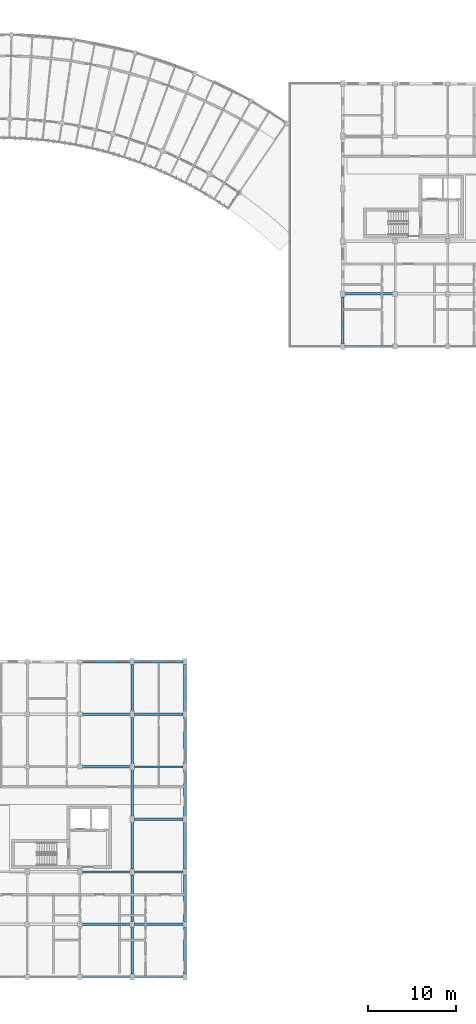
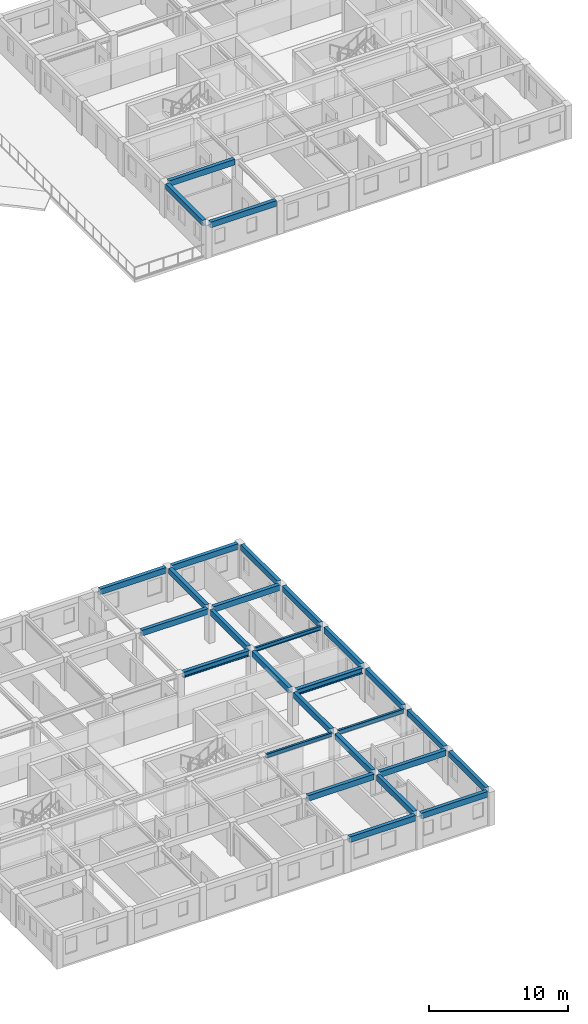
# One storey, part 36 of 101: 28 beams.
"""IFC4 building model written with IfcOpenShell, lengths in metres."""

from ifc_helpers import new_model, si_unit, direction, frame, origin, origin_2d, place, context, subcontext, project, spatial, rectangle, i_section, extrude, material, material_profile, profile_set, type_object, element, save


model = new_model("IFC4")

# Units and contexts
model_context = context("Model", 3, precision=1e-05, world=origin(), true_north=direction((0.0, 1.0)))
body_context = subcontext(model_context, "Body", "Model", "MODEL_VIEW")
ifc_project = project(units=[si_unit("LENGTHUNIT", "METRE"), si_unit("AREAUNIT", "SQUARE_METRE"), si_unit("VOLUMEUNIT", "CUBIC_METRE"), si_unit("PLANEANGLEUNIT", "RADIAN"), si_unit("MASSUNIT", "GRAM", prefix="KILO"), si_unit("POWERUNIT", "WATT"), si_unit("THERMODYNAMICTEMPERATUREUNIT", "KELVIN")], contexts=[model_context])

# Site, building, storey
site_placement = place(None, origin())
site = spatial("IfcSite", under=ifc_project, at=site_placement, CompositionType="ELEMENT")
building_placement = place(site_placement, origin())
building = spatial("IfcBuilding", under=site, at=building_placement, Name="Ruvembo Vaulted Housing Court", CompositionType="ELEMENT")
storey_placement = place(building_placement, frame((0.0, 0.0, 17.300048828125)))
storey = spatial("IfcBuildingStorey", under=building, at=storey_placement, Name="L05", CompositionType="ELEMENT", Elevation=17.300048828125)

# Beams
ifc_material_1 = material(Name="Steel S355J2", Category="steel")
ifc_material_profile_1 = material_profile(ifc_material_1, i_section(OverallWidth=0.300048828125, OverallDepth=0.5, WebThickness=0.014404296875, FlangeThickness=0.028076171875, FilletRadius=0.027099609375, at=origin_2d()), Name="HEB 320")
ifc_profile_set_1 = profile_set([ifc_material_profile_1], Name="Steel S355J2")
beam_type_1 = type_object("IfcBeamType", Name="BM-ST-HEB320", PredefinedType="BEAM", material=ifc_profile_set_1)
beam_1_placement = place(storey_placement, frame((132.235107421875, 18.0, 2.676025390625), z_axis=(1.0, 0.0, 0.0), x_axis=(0.0, 1.0, 0.0)))
element("IfcBeam", 1, at=beam_1_placement, inside=storey, type_object=beam_type_1, Name="L05 Grid Beam X #2321", PredefinedType="BEAM", context=body_context, shape_type="SweptSolid", body=[
    extrude(i_section(OverallWidth=0.300048828125, OverallDepth=0.5, WebThickness=0.014404296875, FlangeThickness=0.028076171875, FilletRadius=0.027099609375, at=origin_2d()), origin(), (0.0, 0.0, 1.0), 5.52978515625),
])
beam_2_placement = place(storey_placement, frame((126.260009765625, 24.0, 2.676025390625), z_axis=(1.0, 0.0, 0.0), x_axis=(0.0, 1.0, 0.0)))
element("IfcBeam", 2, at=beam_2_placement, inside=storey, type_object=beam_type_1, Name="L05 Grid Beam X #2327", PredefinedType="BEAM", context=body_context, shape_type="SweptSolid", body=[
    extrude(i_section(OverallWidth=0.300048828125, OverallDepth=0.5, WebThickness=0.014404296875, FlangeThickness=0.028076171875, FilletRadius=0.027099609375, at=origin_2d()), origin(), (0.0, 0.0, 1.0), 5.5048828125),
])
ifc_material_profile_2 = material_profile(ifc_material_1, i_section(OverallWidth=0.169921875, OverallDepth=0.360107421875, WebThickness=0.008056640625, FlangeThickness=0.0126953125, FilletRadius=0.01806640625, at=origin_2d()), Name="IPE 360")
ifc_profile_set_2 = profile_set([ifc_material_profile_2], Name="Steel S355J2")
beam_type_2 = type_object("IfcBeamType", Name="BM-ST-IPE360", PredefinedType="BEAM", material=ifc_profile_set_2)
beam_3_placement = place(storey_placement, frame((126.260009765625, 12.0, 2.745849609375), z_axis=(1.0, 0.0, 0.0), x_axis=(0.0, 1.0, 0.0)))
element("IfcBeam", 3, at=beam_3_placement, inside=storey, type_object=beam_type_2, Name="L05 Grid Beam X #2313", PredefinedType="BEAM", context=body_context, shape_type="SweptSolid", body=[
    extrude(i_section(OverallWidth=0.169921875, OverallDepth=0.360107421875, WebThickness=0.008056640625, FlangeThickness=0.0126953125, FilletRadius=0.01806640625, at=origin_2d()), origin(), (0.0, 0.0, 1.0), 5.5048828125),
])
beam_4_placement = place(storey_placement, frame((132.235107421875, 24.0, 2.745849609375), z_axis=(1.0, 0.0, 0.0), x_axis=(0.0, 1.0, 0.0)))
element("IfcBeam", 4, at=beam_4_placement, inside=storey, type_object=beam_type_2, Name="L05 Grid Beam X #2328", PredefinedType="BEAM", context=body_context, shape_type="SweptSolid", body=[
    extrude(i_section(OverallWidth=0.169921875, OverallDepth=0.360107421875, WebThickness=0.008056640625, FlangeThickness=0.0126953125, FilletRadius=0.01806640625, at=origin_2d()), origin(), (0.0, 0.0, 1.0), 5.52978515625),
])
ifc_material_profile_3 = material_profile(ifc_material_1, i_section(OverallWidth=0.179931640625, OverallDepth=0.39990234375, WebThickness=0.008544921875, FlangeThickness=0.013427734375, FilletRadius=0.02099609375, at=origin_2d()), Name="IPE 400")
ifc_profile_set_3 = profile_set([ifc_material_profile_3], Name="Steel S355J2")
beam_type_3 = type_object("IfcBeamType", Name="BM-ST-IPE400", PredefinedType="BEAM", material=ifc_profile_set_3)
beam_5_placement = place(storey_placement, frame((132.235107421875, 12.0, 2.725830078125), z_axis=(1.0, 0.0, 0.0), x_axis=(0.0, 1.0, 0.0)))
element("IfcBeam", 5, at=beam_5_placement, inside=storey, type_object=beam_type_3, Name="L05 Grid Beam X #2314", PredefinedType="BEAM", context=body_context, shape_type="SweptSolid", body=[
    extrude(i_section(OverallWidth=0.179931640625, OverallDepth=0.39990234375, WebThickness=0.008544921875, FlangeThickness=0.013427734375, FilletRadius=0.02099609375, at=origin_2d()), origin(), (0.0, 0.0, 1.0), 5.52978515625),
])
ifc_material_2 = material(Name="Concrete C35/45", Category="concrete")
ifc_material_profile_4 = material_profile(ifc_material_2, rectangle(XDim=0.300048828125, YDim=0.5, at=origin_2d()), Name="RC 300x500")
ifc_profile_set_4 = profile_set([ifc_material_profile_4], Name="Concrete C35/45")
beam_type_4 = type_object("IfcBeamType", Name="SP-RC-300x500", PredefinedType="SPANDREL", material=ifc_profile_set_4)
beam_6_placement = place(storey_placement, frame((126.260009765625, 0.0, 2.71484375), z_axis=(1.0, 0.0, 0.0), x_axis=(0.0, 1.0, 0.0)))
element("IfcBeam", 6, at=beam_6_placement, inside=storey, type_object=beam_type_4, Name="L05 Grid Beam X #2289", PredefinedType="SPANDREL", context=body_context, shape_type="SweptSolid", body=[
    extrude(rectangle(XDim=0.300048828125, YDim=0.5, at=origin_2d()), origin(), (0.0, 0.0, 1.0), 5.5048828125),
])
beam_7_placement = place(storey_placement, frame((132.235107421875, 0.0, 2.71484375), z_axis=(1.0, 0.0, 0.0), x_axis=(0.0, 1.0, 0.0)))
element("IfcBeam", 7, at=beam_7_placement, inside=storey, type_object=beam_type_4, Name="L05 Grid Beam X #2290", PredefinedType="SPANDREL", context=body_context, shape_type="SweptSolid", body=[
    extrude(rectangle(XDim=0.300048828125, YDim=0.5, at=origin_2d()), origin(), (0.0, 0.0, 1.0), 5.52978515625),
])
beam_8_placement = place(storey_placement, frame((126.260009765625, 6.0, 2.71484375), z_axis=(1.0, 0.0, 0.0), x_axis=(0.0, 1.0, 0.0)))
element("IfcBeam", 8, at=beam_8_placement, inside=storey, type_object=beam_type_4, Name="L05 Grid Beam X #2301", PredefinedType="SPANDREL", context=body_context, shape_type="SweptSolid", body=[
    extrude(rectangle(XDim=0.300048828125, YDim=0.5, at=origin_2d()), origin(), (0.0, 0.0, 1.0), 5.5048828125),
])
beam_9_placement = place(storey_placement, frame((132.235107421875, 6.0, 2.71484375), z_axis=(1.0, 0.0, 0.0), x_axis=(0.0, 1.0, 0.0)))
element("IfcBeam", 9, at=beam_9_placement, inside=storey, type_object=beam_type_4, Name="L05 Grid Beam X #2302", PredefinedType="SPANDREL", context=body_context, shape_type="SweptSolid", body=[
    extrude(rectangle(XDim=0.300048828125, YDim=0.5, at=origin_2d()), origin(), (0.0, 0.0, 1.0), 5.52978515625),
])
beam_10_placement = place(storey_placement, frame((126.260009765625, 30.0, 2.71484375), z_axis=(1.0, 0.0, 0.0), x_axis=(0.0, 1.0, 0.0)))
element("IfcBeam", 10, at=beam_10_placement, inside=storey, type_object=beam_type_4, Name="L05 Grid Beam X #2339", PredefinedType="SPANDREL", context=body_context, shape_type="SweptSolid", body=[
    extrude(rectangle(XDim=0.300048828125, YDim=0.5, at=origin_2d()), origin(), (0.0, 0.0, 1.0), 5.5048828125),
])
beam_11_placement = place(storey_placement, frame((132.235107421875, 30.0, 2.71484375), z_axis=(1.0, 0.0, 0.0), x_axis=(0.0, 1.0, 0.0)))
element("IfcBeam", 11, at=beam_11_placement, inside=storey, type_object=beam_type_4, Name="L05 Grid Beam X #2340", PredefinedType="SPANDREL", context=body_context, shape_type="SweptSolid", body=[
    extrude(rectangle(XDim=0.300048828125, YDim=0.5, at=origin_2d()), origin(), (0.0, 0.0, 1.0), 5.52978515625),
])
beam_12_placement = place(storey_placement, frame((126.260009765625, 36.0, 2.71484375), z_axis=(1.0, 0.0, 0.0), x_axis=(0.0, 1.0, 0.0)))
element("IfcBeam", 12, at=beam_12_placement, inside=storey, type_object=beam_type_4, Name="L05 Grid Beam X #2351", PredefinedType="SPANDREL", context=body_context, shape_type="SweptSolid", body=[
    extrude(rectangle(XDim=0.300048828125, YDim=0.5, at=origin_2d()), origin(), (0.0, 0.0, 1.0), 5.5048828125),
])
beam_13_placement = place(storey_placement, frame((132.235107421875, 36.0, 2.71484375), z_axis=(1.0, 0.0, 0.0), x_axis=(0.0, 1.0, 0.0)))
element("IfcBeam", 13, at=beam_13_placement, inside=storey, type_object=beam_type_4, Name="L05 Grid Beam X #2352", PredefinedType="SPANDREL", context=body_context, shape_type="SweptSolid", body=[
    extrude(rectangle(XDim=0.300048828125, YDim=0.5, at=origin_2d()), origin(), (0.0, 0.0, 1.0), 5.52978515625),
])
for number, where, z_axis, x_axis, name in (
    (14, (156.235107421875, 72.0, 2.71484375), (1.0, 0.0, 0.0), (0.0, 1.0, 0.0), "L05 Grid Beam X #2359"),
    (15, (156.235107421875, 78.0, 2.71484375), (1.0, 0.0, 0.0), (0.0, 1.0, 0.0), "L05 Grid Beam X #2370"),
):
    element("IfcBeam", number, at=place(storey_placement, frame(where, z_axis=z_axis, x_axis=x_axis)), inside=storey, type_object=beam_type_4, Name=name, PredefinedType="SPANDREL", context=body_context, shape_type="SweptSolid", body=[
        extrude(rectangle(XDim=0.300048828125, YDim=0.5, at=origin_2d()), origin(), (0.0, 0.0, 1.0), 5.5048828125),
    ])
for number, where, z_axis, x_axis, name in (
    (16, (132.0, 0.3349609375, 2.71484375), (0.0, 1.0, 0.0), (-1.0, 0.0, 0.0), "L05 Grid Beam Y #2514"),
    (17, (132.0, 6.3349609375, 2.71484375), (0.0, 1.0, 0.0), (-1.0, 0.0, 0.0), "L05 Grid Beam Y #2515"),
    (18, (132.0, 12.3349609375, 2.71484375), (0.0, 1.0, 0.0), (-1.0, 0.0, 0.0), "L05 Grid Beam Y #2516"),
    (19, (132.0, 18.3349609375, 2.71484375), (0.0, 1.0, 0.0), (-1.0, 0.0, 0.0), "L05 Grid Beam Y #2517"),
    (20, (132.0, 24.3349609375, 2.71484375), (0.0, 1.0, 0.0), (-1.0, 0.0, 0.0), "L05 Grid Beam Y #2518"),
    (21, (132.0, 30.3349609375, 2.71484375), (0.0, 1.0, 0.0), (-1.0, 0.0, 0.0), "L05 Grid Beam Y #2519"),
    (22, (138.0, 0.3349609375, 2.71484375), (0.0, 1.0, 0.0), (-1.0, 0.0, 0.0), "L05 Grid Beam Y #2520"),
    (23, (138.0, 6.3349609375, 2.71484375), (0.0, 1.0, 0.0), (-1.0, 0.0, 0.0), "L05 Grid Beam Y #2521"),
    (24, (138.0, 12.3349609375, 2.71484375), (0.0, 1.0, 0.0), (-1.0, 0.0, 0.0), "L05 Grid Beam Y #2522"),
    (25, (138.0, 18.3349609375, 2.71484375), (0.0, 1.0, 0.0), (-1.0, 0.0, 0.0), "L05 Grid Beam Y #2523"),
    (26, (138.0, 24.3349609375, 2.71484375), (0.0, 1.0, 0.0), (-1.0, 0.0, 0.0), "L05 Grid Beam Y #2524"),
    (27, (138.0, 30.3349609375, 2.71484375), (0.0, 1.0, 0.0), (-1.0, 0.0, 0.0), "L05 Grid Beam Y #2525"),
    (28, (156.0, 72.3349609375, 2.71484375), (0.0, 1.0, 0.0), (-1.0, 0.0, 0.0), "L05 Grid Beam Y #2526"),
):
    element("IfcBeam", number, at=place(storey_placement, frame(where, z_axis=z_axis, x_axis=x_axis)), inside=storey, type_object=beam_type_4, Name=name, PredefinedType="SPANDREL", context=body_context, shape_type="SweptSolid", body=[
        extrude(rectangle(XDim=0.300048828125, YDim=0.5, at=origin_2d()), origin(), (0.0, 0.0, 1.0), 5.330078125),
    ])

save(model, "model.ifc")
